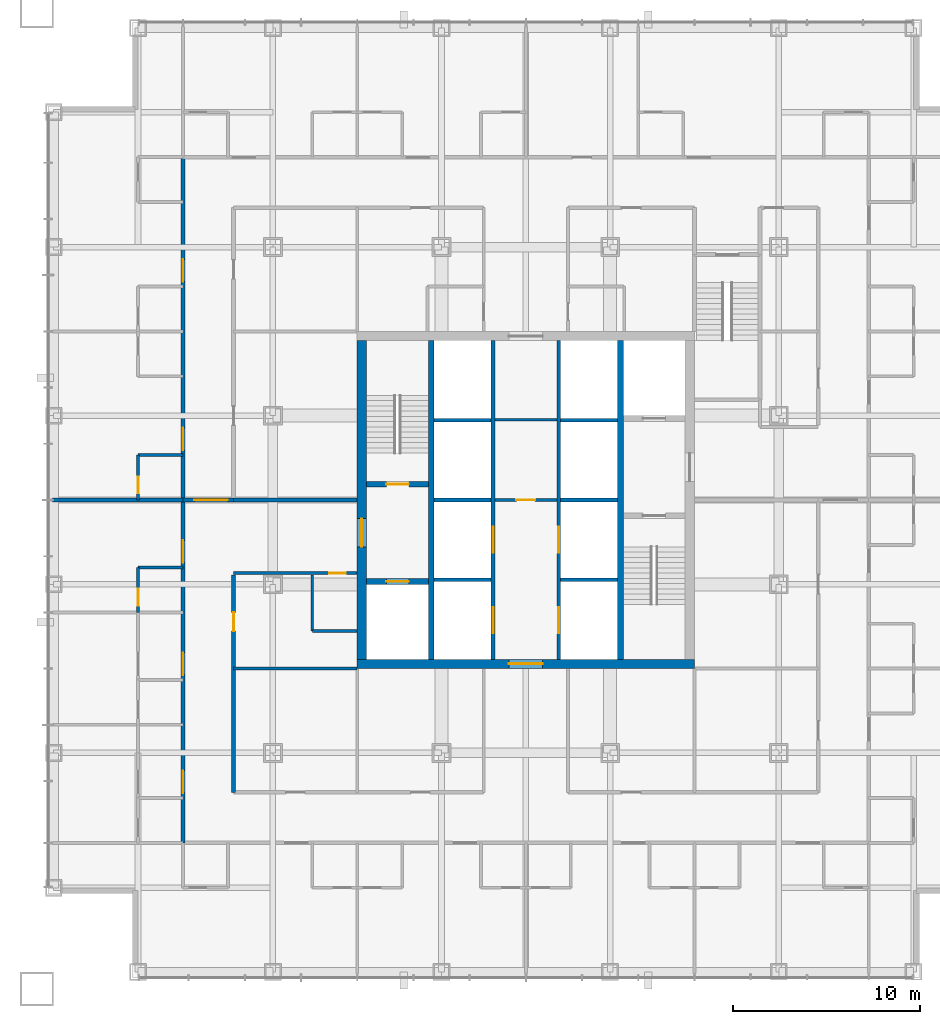
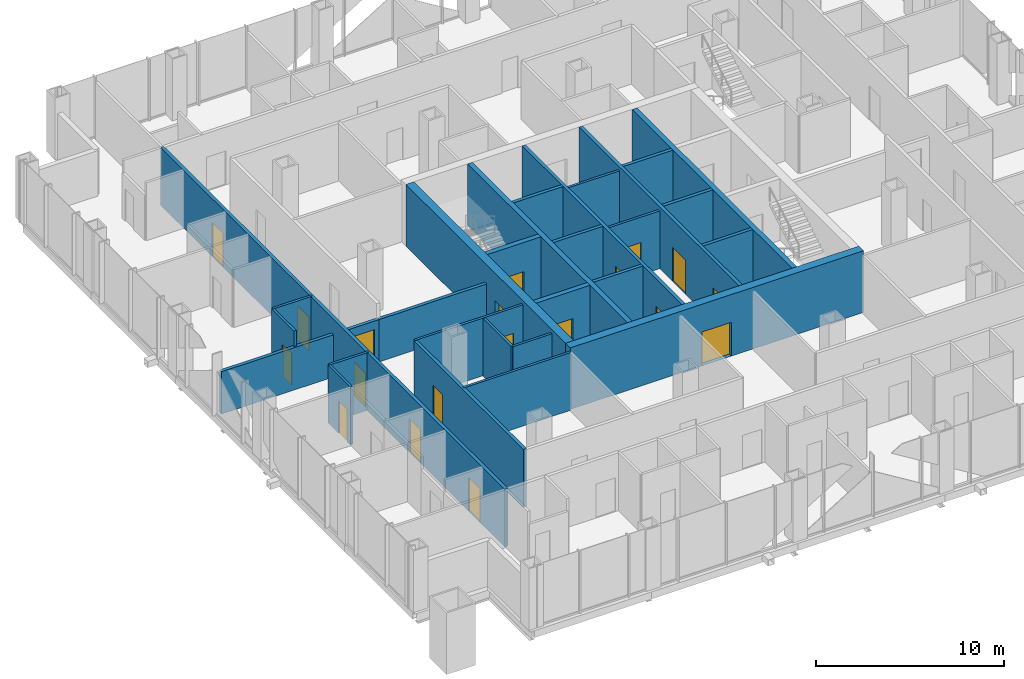
# One storey, part 8 of 13: 29 walls, 19 doors, 19 openings.
"""IFC4 building model written with IfcOpenShell, lengths in metres."""

from ifc_helpers import new_model, si_unit, direction, frame, frame_2d, origin, place, context, subcontext, project, spatial, rectangle, extrude, material, layer, layer_set, type_object, element, fill, save


model = new_model("IFC4")

# Units and contexts
model_context = context("Model", 3, precision=1e-05, world=origin(), true_north=direction((0.0, 1.0)))
body_context = subcontext(model_context, "Body", "Model", "MODEL_VIEW")
ifc_project = project(units=[si_unit("LENGTHUNIT", "METRE"), si_unit("AREAUNIT", "SQUARE_METRE"), si_unit("VOLUMEUNIT", "CUBIC_METRE"), si_unit("PLANEANGLEUNIT", "RADIAN"), si_unit("MASSUNIT", "GRAM", prefix="KILO")], contexts=[model_context])

# Site, building, storey
site_placement = place(None, origin())
site = spatial("IfcSite", under=ifc_project, at=site_placement, CompositionType="ELEMENT")
building_placement = place(site_placement, origin())
building = spatial("IfcBuilding", under=site, at=building_placement, Name="Malebo Sky Hospital", CompositionType="ELEMENT")
storey_placement = place(building_placement, frame((0.0, 0.0, 43.0)))
storey = spatial("IfcBuildingStorey", under=building, at=storey_placement, Name="L09", CompositionType="ELEMENT", Elevation=43.0)

# Wall, openings, doors
ifc_material_1 = material(Name="Concrete C80/95", Category="concrete")
ifc_layer_1 = layer(ifc_material_1, 0.199951171875)
ifc_layer_set_1 = layer_set([ifc_layer_1], Name="CORE INNER WALL 200")
wall_type_1 = type_object("IfcWallType", Name="CORE INNER WALL 200", PredefinedType="SHEAR", material=ifc_layer_set_1)
wall_1_placement = place(storey_placement, frame((58.25, 53.5, 0.0), z_axis=(0.0, 0.0, 1.0), x_axis=(0.0, 1.0, 0.0)))
wall_1 = element("IfcWall", 1, at=wall_1_placement, inside=storey, type_object=wall_type_1, Name="Core wall LW L09", PredefinedType="SHEAR", context=body_context, shape_type="SweptSolid", body=[
    extrude(rectangle(XDim=17.0, YDim=0.199951171875, at=frame_2d((8.5, 0.0))), origin(), (0.0, 0.0, 1.0), 4.0),
])
opening_1_placement = place(wall_1_placement, frame((1.375, 0.0, 0.0)))
opening_1 = element("IfcOpeningElement", 2, at=opening_1_placement, cuts=wall_1, Name="Opening LD1", PredefinedType="OPENING", context=body_context, shape_type="SweptSolid", body=[
    extrude(rectangle(XDim=1.39990234375, YDim=2.199951171875, at=frame_2d((0.699951171875, 1.10009765625))), frame((0.0, 0.10986328125, 0.0), z_axis=(0.0, -1.0, 0.0), x_axis=(1.0, 0.0, 0.0)), (0.0, 0.0, 1.0), 0.219970703125),
])
opening_2_placement = place(wall_1_placement, frame((5.675048828125, 0.0, 0.0)))
opening_2 = element("IfcOpeningElement", 3, at=opening_2_placement, cuts=wall_1, Name="Opening LD1", PredefinedType="OPENING", context=body_context, shape_type="SweptSolid", body=[
    extrude(rectangle(XDim=1.39990234375, YDim=2.199951171875, at=frame_2d((0.699951171875, 1.10009765625))), frame((0.0, 0.10986328125, 0.0), z_axis=(0.0, -1.0, 0.0), x_axis=(1.0, 0.0, 0.0)), (0.0, 0.0, 1.0), 0.219970703125),
])
ifc_material_2 = material(Name="Stainless steel sliding landing door", Category="steel")
door_type_1 = type_object("IfcDoorType", Name="LIFT LANDING DOOR 1400", OperationType="SLIDING_TO_LEFT", PredefinedType="DOOR", material=ifc_material_2)
door_1_placement = place(opening_1_placement, origin())
door_1 = element("IfcDoor", 4, at=door_1_placement, inside=storey, type_object=door_type_1, Name="Lift W1 landing door", OperationType="SLIDING_TO_LEFT", OverallHeight=2.199951171875, OverallWidth=1.39990234375, PredefinedType="DOOR", context=body_context, shape_type="SweptSolid", body=[
    extrude(rectangle(XDim=1.39990234375, YDim=2.199951171875, at=frame_2d((0.699951171875, 1.10009765625))), frame((0.0, 0.02490234375, 0.0), z_axis=(0.0, -1.0, 0.0), x_axis=(1.0, 0.0, 0.0)), (0.0, 0.0, 1.0), 0.050048828125),
])
fill(opening_1, door_1)
door_2_placement = place(opening_2_placement, origin())
door_2 = element("IfcDoor", 5, at=door_2_placement, inside=storey, type_object=door_type_1, Name="Lift W2 landing door", OperationType="SLIDING_TO_LEFT", OverallHeight=2.199951171875, OverallWidth=1.39990234375, PredefinedType="DOOR", context=body_context, shape_type="SweptSolid", body=[
    extrude(rectangle(XDim=1.39990234375, YDim=2.199951171875, at=frame_2d((0.699951171875, 1.10009765625))), frame((0.0, 0.02490234375, 0.0), z_axis=(0.0, -1.0, 0.0), x_axis=(1.0, 0.0, 0.0)), (0.0, 0.0, 1.0), 0.050048828125),
])
fill(opening_2, door_2)

wall_2_placement = place(storey_placement, frame((61.75, 53.5, 0.0), z_axis=(0.0, 0.0, 1.0), x_axis=(0.0, 1.0, 0.0)))
wall_2 = element("IfcWall", 6, at=wall_2_placement, inside=storey, type_object=wall_type_1, Name="Core wall LE L09", PredefinedType="SHEAR", context=body_context, shape_type="SweptSolid", body=[
    extrude(rectangle(XDim=17.0, YDim=0.199951171875, at=frame_2d((8.5, 0.0))), origin(), (0.0, 0.0, 1.0), 4.0),
])
opening_3_placement = place(wall_2_placement, frame((1.375, 0.0, 0.0)))
opening_3 = element("IfcOpeningElement", 7, at=opening_3_placement, cuts=wall_2, Name="Opening LD1", PredefinedType="OPENING", context=body_context, shape_type="SweptSolid", body=[
    extrude(rectangle(XDim=1.39990234375, YDim=2.199951171875, at=frame_2d((0.699951171875, 1.10009765625))), frame((0.0, 0.10986328125, 0.0), z_axis=(0.0, -1.0, 0.0), x_axis=(1.0, 0.0, 0.0)), (0.0, 0.0, 1.0), 0.219970703125),
])
opening_4_placement = place(wall_2_placement, frame((5.675048828125, 0.0, 0.0)))
opening_4 = element("IfcOpeningElement", 8, at=opening_4_placement, cuts=wall_2, Name="Opening LD1", PredefinedType="OPENING", context=body_context, shape_type="SweptSolid", body=[
    extrude(rectangle(XDim=1.39990234375, YDim=2.199951171875, at=frame_2d((0.699951171875, 1.10009765625))), frame((0.0, 0.10986328125, 0.0), z_axis=(0.0, -1.0, 0.0), x_axis=(1.0, 0.0, 0.0)), (0.0, 0.0, 1.0), 0.219970703125),
])
door_3_placement = place(opening_3_placement, origin())
door_3 = element("IfcDoor", 9, at=door_3_placement, inside=storey, type_object=door_type_1, Name="Lift E1 landing door", OperationType="SLIDING_TO_LEFT", OverallHeight=2.199951171875, OverallWidth=1.39990234375, PredefinedType="DOOR", context=body_context, shape_type="SweptSolid", body=[
    extrude(rectangle(XDim=1.39990234375, YDim=2.199951171875, at=frame_2d((0.699951171875, 1.10009765625))), frame((0.0, 0.02490234375, 0.0), z_axis=(0.0, -1.0, 0.0), x_axis=(1.0, 0.0, 0.0)), (0.0, 0.0, 1.0), 0.050048828125),
])
fill(opening_3, door_3)
door_4_placement = place(opening_4_placement, origin())
door_4 = element("IfcDoor", 10, at=door_4_placement, inside=storey, type_object=door_type_1, Name="Lift E2 landing door", OperationType="SLIDING_TO_LEFT", OverallHeight=2.199951171875, OverallWidth=1.39990234375, PredefinedType="DOOR", context=body_context, shape_type="SweptSolid", body=[
    extrude(rectangle(XDim=1.39990234375, YDim=2.199951171875, at=frame_2d((0.699951171875, 1.10009765625))), frame((0.0, 0.02490234375, 0.0), z_axis=(0.0, -1.0, 0.0), x_axis=(1.0, 0.0, 0.0)), (0.0, 0.0, 1.0), 0.050048828125),
])
fill(opening_4, door_4)

# Walls
for number, where, z_axis, x_axis, name in (
    (11, (55.10009765625, 57.75, 0.0), (0.0, 0.0, 1.0), (1.0, 0.0, 0.0), "Core wall SW0 L09"),
    (12, (61.85009765625, 57.75, 0.0), (0.0, 0.0, 1.0), (1.0, 0.0, 0.0), "Core wall SE0 L09"),
    (13, (55.10009765625, 62.0, 0.0), (0.0, 0.0, 1.0), (1.0, 0.0, 0.0), "Core wall SW1 L09"),
    (14, (61.85009765625, 62.0, 0.0), (0.0, 0.0, 1.0), (1.0, 0.0, 0.0), "Core wall SE1 L09"),
    (15, (55.10009765625, 66.25, 0.0), (0.0, 0.0, 1.0), (1.0, 0.0, 0.0), "Core wall SW2 L09"),
    (16, (61.85009765625, 66.25, 0.0), (0.0, 0.0, 1.0), (1.0, 0.0, 0.0), "Core wall SE2 L09"),
):
    element("IfcWall", number, at=place(storey_placement, frame(where, z_axis=z_axis, x_axis=x_axis)), inside=storey, type_object=wall_type_1, Name=name, PredefinedType="SHEAR", context=body_context, shape_type="SweptSolid", body=[
        extrude(rectangle(XDim=3.0498046875, YDim=0.199951171875, at=frame_2d((1.52490234375, 0.0))), origin(), (0.0, 0.0, 1.0), 4.0),
    ])
ifc_layer_2 = layer(ifc_material_1, 0.300048828125)
ifc_layer_set_2 = layer_set([ifc_layer_2], Name="CORE INNER WALL 300")
wall_type_2 = type_object("IfcWallType", Name="CORE INNER WALL 300", PredefinedType="SHEAR", material=ifc_layer_set_2)
for number, where, z_axis, x_axis, name in (
    (17, (54.949951171875, 53.5, 0.0), (0.0, 0.0, 1.0), (0.0, 1.0, 0.0), "Core wall XW L09"),
    (18, (65.050048828125, 53.5, 0.0), (0.0, 0.0, 1.0), (0.0, 1.0, 0.0), "Core wall XE L09"),
):
    element("IfcWall", number, at=place(storey_placement, frame(where, z_axis=z_axis, x_axis=x_axis)), inside=storey, type_object=wall_type_2, Name=name, PredefinedType="SHEAR", context=body_context, shape_type="SweptSolid", body=[
        extrude(rectangle(XDim=17.0, YDim=0.300048828125, at=frame_2d((8.5, 0.0))), origin(), (0.0, 0.0, 1.0), 4.0),
    ])

# Wall, opening, door
wall_3_placement = place(storey_placement, frame((51.5, 62.85009765625, 0.0), z_axis=(0.0, 0.0, 1.0), x_axis=(1.0, 0.0, 0.0)))
wall_3 = element("IfcWall", 19, at=wall_3_placement, inside=storey, type_object=wall_type_2, Name="Core wall W1 L09", PredefinedType="SHEAR", context=body_context, shape_type="SweptSolid", body=[
    extrude(rectangle(XDim=3.300048828125, YDim=0.300048828125, at=frame_2d((1.64990234375, 0.0))), origin(), (0.0, 0.0, 1.0), 4.0),
])
opening_5_placement = place(wall_3_placement, frame((1.050048828125, 0.0, 0.0)))
opening_5 = element("IfcOpeningElement", 20, at=opening_5_placement, cuts=wall_3, Name="Opening D08", PredefinedType="OPENING", context=body_context, shape_type="SweptSolid", body=[
    extrude(rectangle(XDim=1.199951171875, YDim=2.10009765625, at=frame_2d((0.60009765625, 1.050048828125))), frame((0.0, 0.159912109375, 0.0), z_axis=(0.0, -1.0, 0.0), x_axis=(1.0, 0.0, 0.0)), (0.0, 0.0, 1.0), 0.320068359375),
])
ifc_material_3 = material(Name="Hardwood-faced door leaf in steel frame", Category="steel")
door_type_2 = type_object("IfcDoorType", Name="STAIR DOOR 1200", OperationType="SINGLE_SWING_LEFT", PredefinedType="DOOR", material=ifc_material_3)
door_5_placement = place(opening_5_placement, origin())
door_5 = element("IfcDoor", 21, at=door_5_placement, inside=storey, type_object=door_type_2, Name="Stair S1 door", OperationType="SINGLE_SWING_LEFT", OverallHeight=2.10009765625, OverallWidth=1.199951171875, PredefinedType="DOOR", context=body_context, shape_type="SweptSolid", body=[
    extrude(rectangle(XDim=1.199951171875, YDim=2.10009765625, at=frame_2d((0.60009765625, 1.050048828125))), frame((0.0, 0.02490234375, 0.0), z_axis=(0.0, -1.0, 0.0), x_axis=(1.0, 0.0, 0.0)), (0.0, 0.0, 1.0), 0.050048828125),
])
fill(opening_5, door_5)

wall_4_placement = place(storey_placement, frame((51.5, 57.64990234375, 0.0), z_axis=(0.0, 0.0, 1.0), x_axis=(1.0, 0.0, 0.0)))
wall_4 = element("IfcWall", 22, at=wall_4_placement, inside=storey, type_object=wall_type_2, Name="Core wall W2 L09", PredefinedType="SHEAR", context=body_context, shape_type="SweptSolid", body=[
    extrude(rectangle(XDim=3.300048828125, YDim=0.300048828125, at=frame_2d((1.64990234375, 0.0))), origin(), (0.0, 0.0, 1.0), 4.0),
])
opening_6_placement = place(wall_4_placement, frame((1.050048828125, 0.0, 0.0)))
opening_6 = element("IfcOpeningElement", 23, at=opening_6_placement, cuts=wall_4, Name="Opening LD2", PredefinedType="OPENING", context=body_context, shape_type="SweptSolid", body=[
    extrude(rectangle(XDim=1.199951171875, YDim=2.199951171875, at=frame_2d((0.60009765625, 1.10009765625))), frame((0.0, 0.159912109375, 0.0), z_axis=(0.0, -1.0, 0.0), x_axis=(1.0, 0.0, 0.0)), (0.0, 0.0, 1.0), 0.320068359375),
])
door_type_3 = type_object("IfcDoorType", Name="FIRE-FIGHTING LIFT LANDING DOOR 1200", OperationType="SLIDING_TO_LEFT", PredefinedType="DOOR", material=ifc_material_2)
door_6_placement = place(opening_6_placement, origin())
door_6 = element("IfcDoor", 24, at=door_6_placement, inside=storey, type_object=door_type_3, Name="Lift FL1 landing door", OperationType="SLIDING_TO_LEFT", OverallHeight=2.199951171875, OverallWidth=1.199951171875, PredefinedType="DOOR", context=body_context, shape_type="SweptSolid", body=[
    extrude(rectangle(XDim=1.199951171875, YDim=2.199951171875, at=frame_2d((0.60009765625, 1.10009765625))), frame((0.0, 0.02490234375, 0.0), z_axis=(0.0, -1.0, 0.0), x_axis=(1.0, 0.0, 0.0)), (0.0, 0.0, 1.0), 0.050048828125),
])
fill(opening_6, door_6)

ifc_layer_3 = layer(ifc_material_1, 0.5)
ifc_layer_set_3 = layer_set([ifc_layer_3], Name="CORE WALL 500")
wall_type_3 = type_object("IfcWallType", Name="CORE WALL 500", PredefinedType="SHEAR", material=ifc_layer_set_3)
wall_5_placement = place(storey_placement, frame((51.0, 53.25, 0.0), z_axis=(0.0, 0.0, 1.0), x_axis=(1.0, 0.0, 0.0)))
wall_5 = element("IfcWall", 25, at=wall_5_placement, inside=storey, type_object=wall_type_3, Name="Core wall S L09", PredefinedType="SHEAR", context=body_context, shape_type="SweptSolid", body=[
    extrude(rectangle(XDim=18.0, YDim=0.5, at=frame_2d((9.0, 0.0))), origin(), (0.0, 0.0, 1.0), 4.0),
])
opening_7_placement = place(wall_5_placement, frame((8.10009765625, 0.0, 0.0)))
opening_7 = element("IfcOpeningElement", 26, at=opening_7_placement, cuts=wall_5, Name="Opening D06", PredefinedType="OPENING", context=body_context, shape_type="SweptSolid", body=[
    extrude(rectangle(XDim=1.800048828125, YDim=2.199951171875, at=frame_2d((0.89990234375, 1.10009765625))), frame((0.0, 0.260009765625, 0.0), z_axis=(0.0, -1.0, 0.0), x_axis=(1.0, 0.0, 0.0)), (0.0, 0.0, 1.0), 0.52001953125),
])
door_type_4 = type_object("IfcDoorType", Name="LOBBY DOOR PAIR 1800", OperationType="DOUBLE_DOOR_SINGLE_SWING", PredefinedType="DOOR", material=ifc_material_3)
door_7_placement = place(opening_7_placement, origin())
door_7 = element("IfcDoor", 27, at=door_7_placement, inside=storey, type_object=door_type_4, Name="Lift lobby door south", OperationType="DOUBLE_DOOR_SINGLE_SWING", OverallHeight=2.199951171875, OverallWidth=1.800048828125, PredefinedType="DOOR", context=body_context, shape_type="SweptSolid", body=[
    extrude(rectangle(XDim=1.800048828125, YDim=2.199951171875, at=frame_2d((0.89990234375, 1.10009765625))), frame((0.0, 0.02490234375, 0.0), z_axis=(0.0, -1.0, 0.0), x_axis=(1.0, 0.0, 0.0)), (0.0, 0.0, 1.0), 0.050048828125),
])
fill(opening_7, door_7)

wall_6_placement = place(storey_placement, frame((51.25, 53.5, 0.0), z_axis=(0.0, 0.0, 1.0), x_axis=(0.0, 1.0, 0.0)))
wall_6 = element("IfcWall", 28, at=wall_6_placement, inside=storey, type_object=wall_type_3, Name="Core wall W L09", PredefinedType="SHEAR", context=body_context, shape_type="SweptSolid", body=[
    extrude(rectangle(XDim=17.0, YDim=0.5, at=frame_2d((8.5, 0.0))), origin(), (0.0, 0.0, 1.0), 4.0),
])
opening_8_placement = place(wall_6_placement, frame((6.0, 0.0, 0.0)))
opening_8 = element("IfcOpeningElement", 29, at=opening_8_placement, cuts=wall_6, Name="Opening D07", PredefinedType="OPENING", context=body_context, shape_type="SweptSolid", body=[
    extrude(rectangle(XDim=1.5, YDim=2.199951171875, at=frame_2d((0.75, 1.10009765625))), frame((0.0, 0.260009765625, 0.0), z_axis=(0.0, -1.0, 0.0), x_axis=(1.0, 0.0, 0.0)), (0.0, 0.0, 1.0), 0.52001953125),
])
door_type_5 = type_object("IfcDoorType", Name="FIRE-FIGHTING LOBBY DOOR PAIR 1500", OperationType="DOUBLE_DOOR_SINGLE_SWING", PredefinedType="DOOR", material=ifc_material_3)
door_8_placement = place(opening_8_placement, origin())
door_8 = element("IfcDoor", 30, at=door_8_placement, inside=storey, type_object=door_type_5, Name="Fire-fighting lobby door west", OperationType="DOUBLE_DOOR_SINGLE_SWING", OverallHeight=2.199951171875, OverallWidth=1.5, PredefinedType="DOOR", context=body_context, shape_type="SweptSolid", body=[
    extrude(rectangle(XDim=1.5, YDim=2.199951171875, at=frame_2d((0.75, 1.10009765625))), frame((0.0, 0.02490234375, 0.0), z_axis=(0.0, -1.0, 0.0), x_axis=(1.0, 0.0, 0.0)), (0.0, 0.0, 1.0), 0.050048828125),
])
fill(opening_8, door_8)

# Wall, openings, doors
ifc_material_4 = material(Name="Gypsum board on steel studs", Category="steel")
ifc_layer_4 = layer(ifc_material_4, 0.199951171875)
ifc_layer_set_4 = layer_set([ifc_layer_4], Name="CORRIDOR WALL 200")
wall_type_4 = type_object("IfcWallType", Name="CORRIDOR WALL 200", PredefinedType="PARTITIONING", material=ifc_layer_set_4)
wall_7_placement = place(storey_placement, frame((41.699951171875, 43.699951171875, 0.0), z_axis=(0.0, 0.0, 1.0), x_axis=(0.0, 1.0, 0.0)))
wall_7 = element("IfcWall", 31, at=wall_7_placement, inside=storey, type_object=wall_type_4, Name="Corridor Wall 200 WCO", PredefinedType="PARTITIONING", context=body_context, shape_type="SweptSolid", body=[
    extrude(rectangle(XDim=36.60009765625, YDim=0.199951171875, at=frame_2d((18.300048828125, 0.0))), origin(), (0.0, 0.0, 1.0), 3.75),
])
opening_9_placement = place(wall_7_placement, frame((2.64990234375, 0.0, 0.0)))
opening_9 = element("IfcOpeningElement", 32, at=opening_9_placement, cuts=wall_7, Name="Opening D18", PredefinedType="OPENING", context=body_context, shape_type="SweptSolid", body=[
    extrude(rectangle(XDim=1.199951171875, YDim=2.199951171875, at=frame_2d((0.60009765625, 1.10009765625))), frame((0.0, 0.10986328125, 0.0), z_axis=(0.0, -1.0, 0.0), x_axis=(1.0, 0.0, 0.0)), (0.0, 0.0, 1.0), 0.219970703125),
])
opening_10_placement = place(wall_7_placement, frame((8.949951171875, 0.0, 0.0)))
opening_10 = element("IfcOpeningElement", 33, at=opening_10_placement, cuts=wall_7, Name="Opening D18", PredefinedType="OPENING", context=body_context, shape_type="SweptSolid", body=[
    extrude(rectangle(XDim=1.199951171875, YDim=2.199951171875, at=frame_2d((0.60009765625, 1.10009765625))), frame((0.0, 0.10986328125, 0.0), z_axis=(0.0, -1.0, 0.0), x_axis=(1.0, 0.0, 0.0)), (0.0, 0.0, 1.0), 0.219970703125),
])
opening_11_placement = place(wall_7_placement, frame((14.949951171875, 0.0, 0.0)))
opening_11 = element("IfcOpeningElement", 34, at=opening_11_placement, cuts=wall_7, Name="Opening D01", PredefinedType="OPENING", context=body_context, shape_type="SweptSolid", body=[
    extrude(rectangle(XDim=1.199951171875, YDim=2.199951171875, at=frame_2d((0.60009765625, 1.10009765625))), frame((0.0, 0.10986328125, 0.0), z_axis=(0.0, -1.0, 0.0), x_axis=(1.0, 0.0, 0.0)), (0.0, 0.0, 1.0), 0.219970703125),
])
opening_12_placement = place(wall_7_placement, frame((20.949951171875, 0.0, 0.0)))
opening_12 = element("IfcOpeningElement", 35, at=opening_12_placement, cuts=wall_7, Name="Opening D01", PredefinedType="OPENING", context=body_context, shape_type="SweptSolid", body=[
    extrude(rectangle(XDim=1.199951171875, YDim=2.199951171875, at=frame_2d((0.60009765625, 1.10009765625))), frame((0.0, 0.10986328125, 0.0), z_axis=(0.0, -1.0, 0.0), x_axis=(1.0, 0.0, 0.0)), (0.0, 0.0, 1.0), 0.219970703125),
])
opening_13_placement = place(wall_7_placement, frame((29.949951171875, 0.0, 0.0)))
opening_13 = element("IfcOpeningElement", 36, at=opening_13_placement, cuts=wall_7, Name="Opening D01", PredefinedType="OPENING", context=body_context, shape_type="SweptSolid", body=[
    extrude(rectangle(XDim=1.199951171875, YDim=2.199951171875, at=frame_2d((0.60009765625, 1.10009765625))), frame((0.0, 0.10986328125, 0.0), z_axis=(0.0, -1.0, 0.0), x_axis=(1.0, 0.0, 0.0)), (0.0, 0.0, 1.0), 0.219970703125),
])
door_type_6 = type_object("IfcDoorType", Name="ANTEROOM DOOR 1200", OperationType="SINGLE_SWING_LEFT", PredefinedType="DOOR", material=ifc_material_3)
door_9_placement = place(opening_9_placement, origin())
door_9 = element("IfcDoor", 37, at=door_9_placement, inside=storey, type_object=door_type_6, Name="Anteroom door", OperationType="SINGLE_SWING_LEFT", OverallHeight=2.199951171875, OverallWidth=1.199951171875, PredefinedType="DOOR", context=body_context, shape_type="SweptSolid", body=[
    extrude(rectangle(XDim=1.199951171875, YDim=2.199951171875, at=frame_2d((0.60009765625, 1.10009765625))), frame((0.0, 0.02490234375, 0.0), z_axis=(0.0, -1.0, 0.0), x_axis=(1.0, 0.0, 0.0)), (0.0, 0.0, 1.0), 0.050048828125),
])
fill(opening_9, door_9)
door_10_placement = place(opening_10_placement, origin())
door_10 = element("IfcDoor", 38, at=door_10_placement, inside=storey, type_object=door_type_6, Name="Anteroom door", OperationType="SINGLE_SWING_LEFT", OverallHeight=2.199951171875, OverallWidth=1.199951171875, PredefinedType="DOOR", context=body_context, shape_type="SweptSolid", body=[
    extrude(rectangle(XDim=1.199951171875, YDim=2.199951171875, at=frame_2d((0.60009765625, 1.10009765625))), frame((0.0, 0.02490234375, 0.0), z_axis=(0.0, -1.0, 0.0), x_axis=(1.0, 0.0, 0.0)), (0.0, 0.0, 1.0), 0.050048828125),
])
fill(opening_10, door_10)
door_type_7 = type_object("IfcDoorType", Name="BED DOOR 1200", OperationType="SINGLE_SWING_LEFT", PredefinedType="DOOR", material=ifc_material_3)
door_11_placement = place(opening_11_placement, origin())
door_11 = element("IfcDoor", 39, at=door_11_placement, inside=storey, type_object=door_type_7, Name="Two-bed room door", OperationType="SINGLE_SWING_LEFT", OverallHeight=2.199951171875, OverallWidth=1.199951171875, PredefinedType="DOOR", context=body_context, shape_type="SweptSolid", body=[
    extrude(rectangle(XDim=1.199951171875, YDim=2.199951171875, at=frame_2d((0.60009765625, 1.10009765625))), frame((0.0, 0.02490234375, 0.0), z_axis=(0.0, -1.0, 0.0), x_axis=(1.0, 0.0, 0.0)), (0.0, 0.0, 1.0), 0.050048828125),
])
fill(opening_11, door_11)
door_12_placement = place(opening_12_placement, origin())
door_12 = element("IfcDoor", 40, at=door_12_placement, inside=storey, type_object=door_type_7, Name="Four-bed bay door", OperationType="SINGLE_SWING_LEFT", OverallHeight=2.199951171875, OverallWidth=1.199951171875, PredefinedType="DOOR", context=body_context, shape_type="SweptSolid", body=[
    extrude(rectangle(XDim=1.199951171875, YDim=2.199951171875, at=frame_2d((0.60009765625, 1.10009765625))), frame((0.0, 0.02490234375, 0.0), z_axis=(0.0, -1.0, 0.0), x_axis=(1.0, 0.0, 0.0)), (0.0, 0.0, 1.0), 0.050048828125),
])
fill(opening_12, door_12)
door_13_placement = place(opening_13_placement, origin())
door_13 = element("IfcDoor", 41, at=door_13_placement, inside=storey, type_object=door_type_7, Name="Four-bed bay door", OperationType="SINGLE_SWING_LEFT", OverallHeight=2.199951171875, OverallWidth=1.199951171875, PredefinedType="DOOR", context=body_context, shape_type="SweptSolid", body=[
    extrude(rectangle(XDim=1.199951171875, YDim=2.199951171875, at=frame_2d((0.60009765625, 1.10009765625))), frame((0.0, 0.02490234375, 0.0), z_axis=(0.0, -1.0, 0.0), x_axis=(1.0, 0.0, 0.0)), (0.0, 0.0, 1.0), 0.050048828125),
])
fill(opening_13, door_13)

# Wall, opening, door
wall_8_placement = place(storey_placement, frame((44.39990234375, 46.39990234375, 0.0), z_axis=(0.0, 0.0, 1.0), x_axis=(0.0, 1.0, 0.0)))
wall_8 = element("IfcWall", 42, at=wall_8_placement, inside=storey, type_object=wall_type_4, Name="Corridor Wall 200 WCI1", PredefinedType="PARTITIONING", context=body_context, shape_type="SweptSolid", body=[
    extrude(rectangle(XDim=11.60009765625, YDim=0.199951171875, at=frame_2d((5.800048828125, 0.0))), origin(), (0.0, 0.0, 1.0), 3.75),
])
opening_14_placement = place(wall_8_placement, frame((8.60009765625, 0.0, 0.0)))
opening_14 = element("IfcOpeningElement", 43, at=opening_14_placement, cuts=wall_8, Name="Opening D03", PredefinedType="OPENING", context=body_context, shape_type="SweptSolid", body=[
    extrude(rectangle(XDim=1.0, YDim=2.10009765625, at=frame_2d((0.5, 1.050048828125))), frame((0.0, 0.10986328125, 0.0), z_axis=(0.0, -1.0, 0.0), x_axis=(1.0, 0.0, 0.0)), (0.0, 0.0, 1.0), 0.219970703125),
])
door_type_8 = type_object("IfcDoorType", Name="ROOM DOOR 1000", OperationType="SINGLE_SWING_LEFT", PredefinedType="DOOR", material=ifc_material_3)
door_14_placement = place(opening_14_placement, origin())
door_14 = element("IfcDoor", 44, at=door_14_placement, inside=storey, type_object=door_type_8, Name="Linen store door", OperationType="SINGLE_SWING_LEFT", OverallHeight=2.10009765625, OverallWidth=1.0, PredefinedType="DOOR", context=body_context, shape_type="SweptSolid", body=[
    extrude(rectangle(XDim=1.0, YDim=2.10009765625, at=frame_2d((0.5, 1.050048828125))), frame((0.0, 0.02490234375, 0.0), z_axis=(0.0, -1.0, 0.0), x_axis=(1.0, 0.0, 0.0)), (0.0, 0.0, 1.0), 0.050048828125),
])
fill(opening_14, door_14)

ifc_layer_5 = layer(ifc_material_4, 0.14990234375)
ifc_layer_set_5 = layer_set([ifc_layer_5], Name="PARTITION 150")
wall_type_5 = type_object("IfcWallType", Name="PARTITION 150", PredefinedType="PARTITIONING", material=ifc_layer_set_5)
wall_9_placement = place(storey_placement, frame((39.300048828125, 56.0, 0.0), z_axis=(0.0, 0.0, 1.0), x_axis=(0.0, 1.0, 0.0)))
wall_9 = element("IfcWall", 45, at=wall_9_placement, inside=storey, type_object=wall_type_5, Name="Partition 150 WE2F", PredefinedType="PARTITIONING", context=body_context, shape_type="SweptSolid", body=[
    extrude(rectangle(XDim=2.39990234375, YDim=0.14990234375, at=frame_2d((1.199951171875, 0.0))), origin(), (0.0, 0.0, 1.0), 3.75),
])
opening_15_placement = place(wall_9_placement, frame((0.35009765625, 0.0, 0.0)))
opening_15 = element("IfcOpeningElement", 46, at=opening_15_placement, cuts=wall_9, Name="Opening D02", PredefinedType="OPENING", context=body_context, shape_type="SweptSolid", body=[
    extrude(rectangle(XDim=0.89990234375, YDim=2.10009765625, at=frame_2d((0.449951171875, 1.050048828125))), frame((0.0, 0.0849609375, 0.0), z_axis=(0.0, -1.0, 0.0), x_axis=(1.0, 0.0, 0.0)), (0.0, 0.0, 1.0), 0.169921875),
])
door_type_9 = type_object("IfcDoorType", Name="EN-SUITE DOOR 900", OperationType="SINGLE_SWING_LEFT", PredefinedType="DOOR", material=ifc_material_3)
door_15_placement = place(opening_15_placement, origin())
door_15 = element("IfcDoor", 47, at=door_15_placement, inside=storey, type_object=door_type_9, Name="En-suite door", OperationType="SINGLE_SWING_LEFT", OverallHeight=2.10009765625, OverallWidth=0.89990234375, PredefinedType="DOOR", context=body_context, shape_type="SweptSolid", body=[
    extrude(rectangle(XDim=0.89990234375, YDim=2.10009765625, at=frame_2d((0.449951171875, 1.050048828125))), frame((0.0, 0.02490234375, 0.0), z_axis=(0.0, -1.0, 0.0), x_axis=(1.0, 0.0, 0.0)), (0.0, 0.0, 1.0), 0.050048828125),
])
fill(opening_15, door_15)

# Wall
wall_10_placement = place(storey_placement, frame((41.699951171875, 58.39990234375, 0.0), z_axis=(0.0, 0.0, 1.0), x_axis=(-1.0, 0.0, 0.0)))
element("IfcWall", 48, at=wall_10_placement, inside=storey, type_object=wall_type_5, Name="Partition 150 WE2S", PredefinedType="PARTITIONING", context=body_context, shape_type="SweptSolid", body=[
    extrude(rectangle(XDim=2.39990234375, YDim=0.14990234375, at=frame_2d((1.199951171875, 0.0))), origin(), (0.0, 0.0, 1.0), 3.75),
])

# Wall, opening, door
wall_11_placement = place(storey_placement, frame((39.300048828125, 62.0, 0.0), z_axis=(0.0, 0.0, 1.0), x_axis=(0.0, 1.0, 0.0)))
wall_11 = element("IfcWall", 49, at=wall_11_placement, inside=storey, type_object=wall_type_5, Name="Partition 150 WE3F", PredefinedType="PARTITIONING", context=body_context, shape_type="SweptSolid", body=[
    extrude(rectangle(XDim=2.39990234375, YDim=0.14990234375, at=frame_2d((1.199951171875, 0.0))), origin(), (0.0, 0.0, 1.0), 3.75),
])
opening_16_placement = place(wall_11_placement, frame((0.35009765625, 0.0, 0.0)))
opening_16 = element("IfcOpeningElement", 50, at=opening_16_placement, cuts=wall_11, Name="Opening D02", PredefinedType="OPENING", context=body_context, shape_type="SweptSolid", body=[
    extrude(rectangle(XDim=0.89990234375, YDim=2.10009765625, at=frame_2d((0.449951171875, 1.050048828125))), frame((0.0, 0.0849609375, 0.0), z_axis=(0.0, -1.0, 0.0), x_axis=(1.0, 0.0, 0.0)), (0.0, 0.0, 1.0), 0.169921875),
])
door_16_placement = place(opening_16_placement, origin())
door_16 = element("IfcDoor", 51, at=door_16_placement, inside=storey, type_object=door_type_9, Name="En-suite door", OperationType="SINGLE_SWING_LEFT", OverallHeight=2.10009765625, OverallWidth=0.89990234375, PredefinedType="DOOR", context=body_context, shape_type="SweptSolid", body=[
    extrude(rectangle(XDim=0.89990234375, YDim=2.10009765625, at=frame_2d((0.449951171875, 1.050048828125))), frame((0.0, 0.02490234375, 0.0), z_axis=(0.0, -1.0, 0.0), x_axis=(1.0, 0.0, 0.0)), (0.0, 0.0, 1.0), 0.050048828125),
])
fill(opening_16, door_16)

# Walls
wall_12_placement = place(storey_placement, frame((41.699951171875, 64.39990234375, 0.0), z_axis=(0.0, 0.0, 1.0), x_axis=(-1.0, 0.0, 0.0)))
element("IfcWall", 52, at=wall_12_placement, inside=storey, type_object=wall_type_5, Name="Partition 150 WE3S", PredefinedType="PARTITIONING", context=body_context, shape_type="SweptSolid", body=[
    extrude(rectangle(XDim=2.39990234375, YDim=0.14990234375, at=frame_2d((1.199951171875, 0.0))), origin(), (0.0, 0.0, 1.0), 3.75),
])
wall_13_placement = place(storey_placement, frame((51.0, 53.0, 0.0), z_axis=(0.0, 0.0, 1.0), x_axis=(-1.0, 0.0, 0.0)))
element("IfcWall", 53, at=wall_13_placement, inside=storey, type_object=wall_type_5, Name="Partition 150 WSP0", PredefinedType="PARTITIONING", context=body_context, shape_type="SweptSolid", body=[
    extrude(rectangle(XDim=6.60009765625, YDim=0.14990234375, at=frame_2d((3.300048828125, 0.0))), origin(), (0.0, 0.0, 1.0), 3.75),
])

# Wall, opening, door
wall_14_placement = place(storey_placement, frame((51.0, 58.10009765625, 0.0), z_axis=(0.0, 0.0, 1.0), x_axis=(-1.0, 0.0, 0.0)))
wall_14 = element("IfcWall", 54, at=wall_14_placement, inside=storey, type_object=wall_type_5, Name="Partition 150 WSPA", PredefinedType="PARTITIONING", context=body_context, shape_type="SweptSolid", body=[
    extrude(rectangle(XDim=6.60009765625, YDim=0.14990234375, at=frame_2d((3.300048828125, 0.0))), origin(), (0.0, 0.0, 1.0), 3.75),
])
opening_17_placement = place(wall_14_placement, frame((0.60009765625, 0.0, 0.0)))
opening_17 = element("IfcOpeningElement", 55, at=opening_17_placement, cuts=wall_14, Name="Opening D04", PredefinedType="OPENING", context=body_context, shape_type="SweptSolid", body=[
    extrude(rectangle(XDim=0.89990234375, YDim=2.10009765625, at=frame_2d((0.449951171875, 1.050048828125))), frame((0.0, 0.0849609375, 0.0), z_axis=(0.0, -1.0, 0.0), x_axis=(1.0, 0.0, 0.0)), (0.0, 0.0, 1.0), 0.169921875),
])
door_type_10 = type_object("IfcDoorType", Name="ROOM DOOR 900", OperationType="SINGLE_SWING_LEFT", PredefinedType="DOOR", material=ifc_material_3)
door_17_placement = place(opening_17_placement, origin())
door_17 = element("IfcDoor", 56, at=door_17_placement, inside=storey, type_object=door_type_10, Name="Cleaner's room door", OperationType="SINGLE_SWING_LEFT", OverallHeight=2.10009765625, OverallWidth=0.89990234375, PredefinedType="DOOR", context=body_context, shape_type="SweptSolid", body=[
    extrude(rectangle(XDim=0.89990234375, YDim=2.10009765625, at=frame_2d((0.449951171875, 1.050048828125))), frame((0.0, 0.02490234375, 0.0), z_axis=(0.0, -1.0, 0.0), x_axis=(1.0, 0.0, 0.0)), (0.0, 0.0, 1.0), 0.050048828125),
])
fill(opening_17, door_17)

# Walls
wall_15_placement = place(storey_placement, frame((48.60009765625, 55.0, 0.0), z_axis=(0.0, 0.0, 1.0), x_axis=(0.0, 1.0, 0.0)))
element("IfcWall", 57, at=wall_15_placement, inside=storey, type_object=wall_type_5, Name="Partition 150 WSX0", PredefinedType="PARTITIONING", context=body_context, shape_type="SweptSolid", body=[
    extrude(rectangle(XDim=3.0, YDim=0.14990234375, at=frame_2d((1.5, 0.0))), origin(), (0.0, 0.0, 1.0), 3.75),
])
wall_16_placement = place(storey_placement, frame((51.0, 55.0, 0.0), z_axis=(0.0, 0.0, 1.0), x_axis=(-1.0, 0.0, 0.0)))
element("IfcWall", 58, at=wall_16_placement, inside=storey, type_object=wall_type_5, Name="Partition 150 WSY0", PredefinedType="PARTITIONING", context=body_context, shape_type="SweptSolid", body=[
    extrude(rectangle(XDim=2.39990234375, YDim=0.14990234375, at=frame_2d((1.199951171875, 0.0))), origin(), (0.0, 0.0, 1.0), 3.75),
])

# Wall, opening, door
wall_17_placement = place(storey_placement, frame((58.35009765625, 62.0, 0.0), z_axis=(0.0, 0.0, 1.0), x_axis=(1.0, 0.0, 0.0)))
wall_17 = element("IfcWall", 59, at=wall_17_placement, inside=storey, type_object=wall_type_5, Name="Partition 150 LBN", PredefinedType="PARTITIONING", context=body_context, shape_type="SweptSolid", body=[
    extrude(rectangle(XDim=3.2998046875, YDim=0.14990234375, at=frame_2d((1.64990234375, 0.0))), origin(), (0.0, 0.0, 1.0), 3.75),
])
opening_18_placement = place(wall_17_placement, frame((1.14990234375, 0.0, 0.0)))
opening_18 = element("IfcOpeningElement", 60, at=opening_18_placement, cuts=wall_17, Name="Opening D03", PredefinedType="OPENING", context=body_context, shape_type="SweptSolid", body=[
    extrude(rectangle(XDim=1.0, YDim=2.10009765625, at=frame_2d((0.5, 1.050048828125))), frame((0.0, 0.0849609375, 0.0), z_axis=(0.0, -1.0, 0.0), x_axis=(1.0, 0.0, 0.0)), (0.0, 0.0, 1.0), 0.169921875),
])
door_18_placement = place(opening_18_placement, origin())
door_18 = element("IfcDoor", 61, at=door_18_placement, inside=storey, type_object=door_type_8, Name="Pantry store door", OperationType="SINGLE_SWING_LEFT", OverallHeight=2.10009765625, OverallWidth=1.0, PredefinedType="DOOR", context=body_context, shape_type="SweptSolid", body=[
    extrude(rectangle(XDim=1.0, YDim=2.10009765625, at=frame_2d((0.5, 1.050048828125))), frame((0.0, 0.02490234375, 0.0), z_axis=(0.0, -1.0, 0.0), x_axis=(1.0, 0.0, 0.0)), (0.0, 0.0, 1.0), 0.050048828125),
])
fill(opening_18, door_18)

# Walls
wall_18_placement = place(storey_placement, frame((58.35009765625, 66.28759765625, 0.0), z_axis=(0.0, 0.0, 1.0), x_axis=(1.0, 0.0, 0.0)))
element("IfcWall", 62, at=wall_18_placement, inside=storey, type_object=wall_type_5, Name="Partition 150 LBN1", PredefinedType="PARTITIONING", context=body_context, shape_type="SweptSolid", body=[
    extrude(rectangle(XDim=3.2998046875, YDim=0.14990234375, at=frame_2d((1.64990234375, 0.0))), origin(), (0.0, 0.0, 1.0), 3.75),
])
ifc_material_5 = material(Name="Concrete blockwork", Category="masonry")
ifc_layer_6 = layer(ifc_material_5, 0.199951171875)
ifc_layer_set_6 = layer_set([ifc_layer_6], Name="SMOKE BARRIER WALL 200")
wall_type_6 = type_object("IfcWallType", Name="SMOKE BARRIER WALL 200", PredefinedType="SOLIDWALL", material=ifc_layer_set_6)
wall_19_placement = place(storey_placement, frame((41.699951171875, 62.0, 0.0), z_axis=(0.0, 0.0, 1.0), x_axis=(-1.0, 0.0, 0.0)))
element("IfcWall", 63, at=wall_19_placement, inside=storey, type_object=wall_type_6, Name="Smoke Barrier Wall 200 WP+0.0", PredefinedType="SOLIDWALL", context=body_context, shape_type="SweptSolid", body=[
    extrude(rectangle(XDim=6.974853515625, YDim=0.199951171875, at=frame_2d((3.4873046875, 0.0))), origin(), (0.0, 0.0, 1.0), 2.75),
])
wall_20_placement = place(storey_placement, frame((51.0, 62.0, 0.0), z_axis=(0.0, 0.0, 1.0), x_axis=(-1.0, 0.0, 0.0)))
element("IfcWall", 64, at=wall_20_placement, inside=storey, type_object=wall_type_6, Name="Smoke Barrier Wall 200 WSPB", PredefinedType="SOLIDWALL", context=body_context, shape_type="SweptSolid", body=[
    extrude(rectangle(XDim=6.60009765625, YDim=0.199951171875, at=frame_2d((3.300048828125, 0.0))), origin(), (0.0, 0.0, 1.0), 2.75),
])

# Wall, opening, door
wall_21_placement = place(storey_placement, frame((44.39990234375, 62.0, 0.0), z_axis=(0.0, 0.0, 1.0), x_axis=(-1.0, 0.0, 0.0)))
wall_21 = element("IfcWall", 65, at=wall_21_placement, inside=storey, type_object=wall_type_6, Name="Smoke Barrier Wall 200 WSB", PredefinedType="SOLIDWALL", context=body_context, shape_type="SweptSolid", body=[
    extrude(rectangle(XDim=2.699951171875, YDim=0.199951171875, at=frame_2d((1.35009765625, 0.0))), origin(), (0.0, 0.0, 1.0), 2.75),
])
opening_19_placement = place(wall_21_placement, frame((0.300048828125, 0.0, 0.0)))
opening_19 = element("IfcOpeningElement", 66, at=opening_19_placement, cuts=wall_21, Name="Opening D05", PredefinedType="OPENING", context=body_context, shape_type="SweptSolid", body=[
    extrude(rectangle(XDim=1.800048828125, YDim=2.199951171875, at=frame_2d((0.89990234375, 1.10009765625))), frame((0.0, 0.10986328125, 0.0), z_axis=(0.0, -1.0, 0.0), x_axis=(1.0, 0.0, 0.0)), (0.0, 0.0, 1.0), 0.219970703125),
])
door_type_11 = type_object("IfcDoorType", Name="SMOKE DOOR PAIR 1800", OperationType="DOUBLE_DOOR_DOUBLE_SWING", PredefinedType="DOOR", material=ifc_material_3)
door_19_placement = place(opening_19_placement, origin())
door_19 = element("IfcDoor", 67, at=door_19_placement, inside=storey, type_object=door_type_11, Name="Smoke compartment door pair", OperationType="DOUBLE_DOOR_DOUBLE_SWING", OverallHeight=2.199951171875, OverallWidth=1.800048828125, PredefinedType="DOOR", context=body_context, shape_type="SweptSolid", body=[
    extrude(rectangle(XDim=1.800048828125, YDim=2.199951171875, at=frame_2d((0.89990234375, 1.10009765625))), frame((0.0, 0.02490234375, 0.0), z_axis=(0.0, -1.0, 0.0), x_axis=(1.0, 0.0, 0.0)), (0.0, 0.0, 1.0), 0.050048828125),
])
fill(opening_19, door_19)

save(model, "model.ifc")
